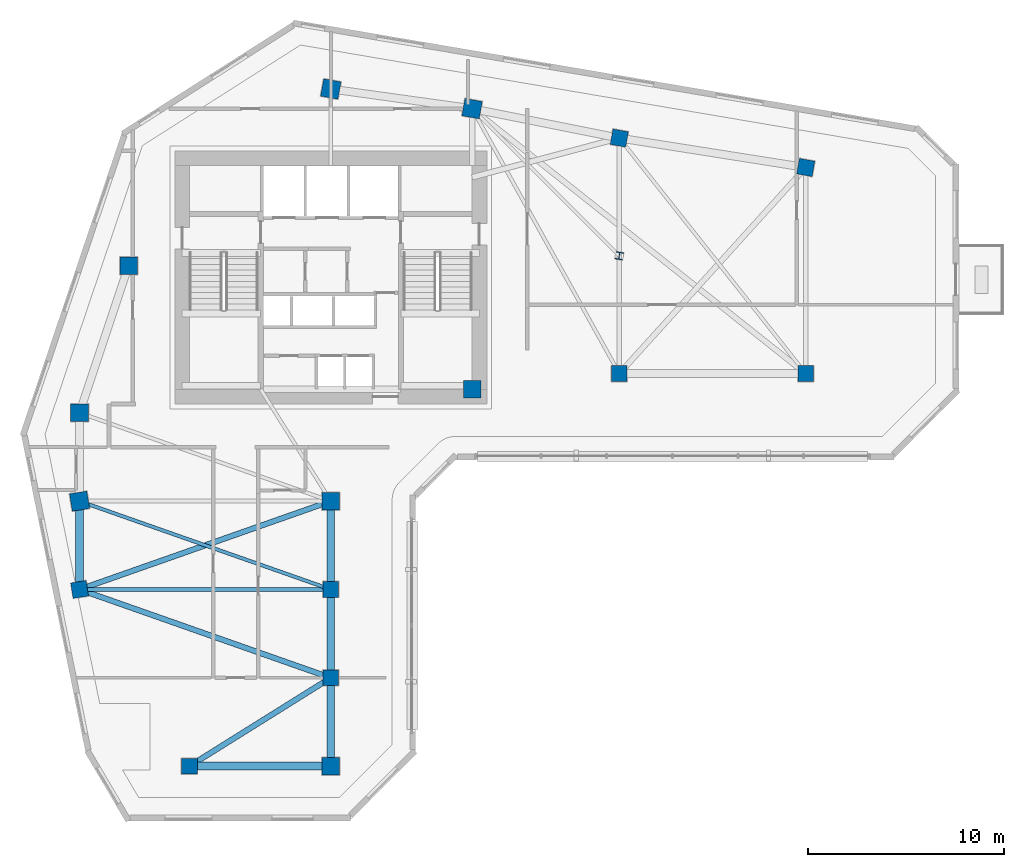
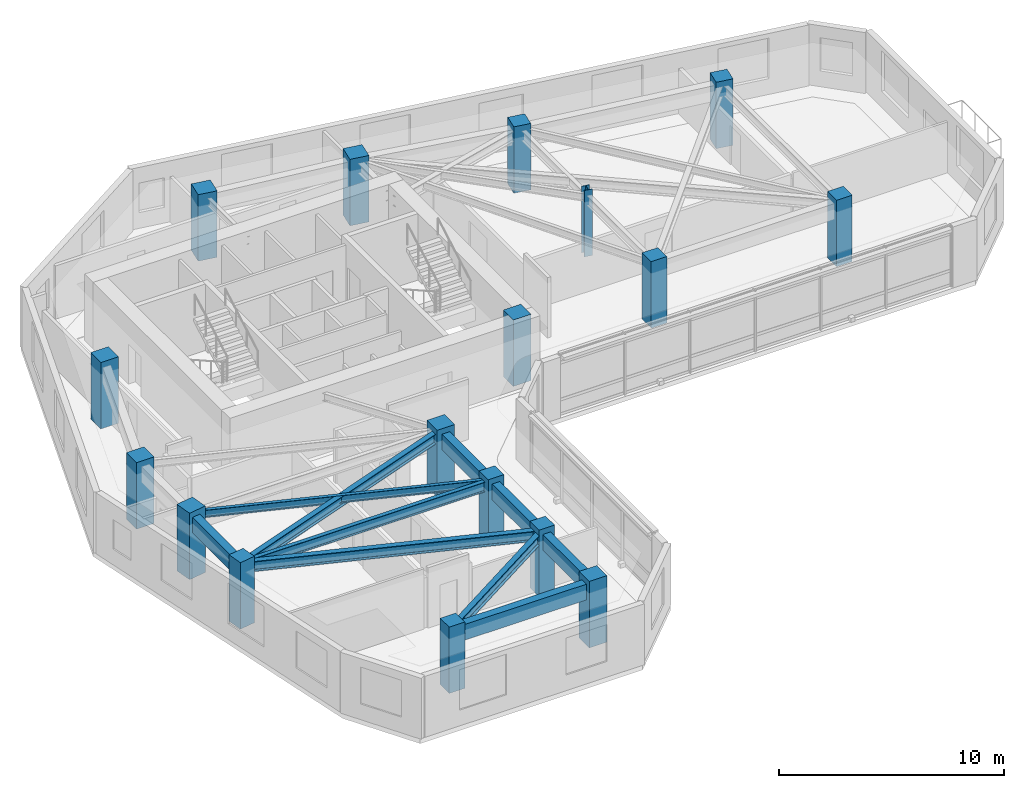
# One storey, part 1 of 10: 17 columns, 10 beams.
"""IFC4 building model written with IfcOpenShell, lengths in metres."""

from ifc_helpers import new_model, si_unit, direction, frame, origin, origin_2d, place, context, subcontext, project, spatial, rectangle, i_section, extrude, source, transform, mapped, material, material_profile, profile_set, type_object, element, save


model = new_model("IFC4")

# Units and contexts
model_context = context("Model", 3, precision=1e-05, world=origin(), true_north=direction((0.0, 1.0)))
body_context = subcontext(model_context, "Body", "Model", "MODEL_VIEW")
ifc_project = project(units=[si_unit("LENGTHUNIT", "METRE"), si_unit("AREAUNIT", "SQUARE_METRE"), si_unit("VOLUMEUNIT", "CUBIC_METRE"), si_unit("PLANEANGLEUNIT", "RADIAN"), si_unit("MASSUNIT", "GRAM", prefix="KILO")], contexts=[model_context])

# Site, building, storey
site_placement = place(None, origin())
site = spatial("IfcSite", under=ifc_project, at=site_placement, CompositionType="ELEMENT")
building_placement = place(site_placement, origin())
building = spatial("IfcBuilding", under=site, at=building_placement, Name="Calvemar Wedge Station Tower", CompositionType="ELEMENT")
storey_placement = place(building_placement, frame((0.0, 0.0, 168.199951171875)))
storey = spatial("IfcBuildingStorey", under=building, at=storey_placement, Name="L42", CompositionType="ELEMENT", Elevation=168.199951171875)

# Columns
ifc_material_1 = material(Name="Concrete C60", Category="concrete")
ifc_material_profile_1 = material_profile(ifc_material_1, rectangle(XDim=0.89990234375, YDim=0.89990234375, at=origin_2d()), Name="RC900x900")
ifc_profile_set_1 = profile_set([ifc_material_profile_1], Name="Concrete C60")
column_type_1 = type_object("IfcColumnType", Name="COL-C5-900", PredefinedType="COLUMN", material=ifc_profile_set_1)
shared_shape_1 = source(origin(), body_context, "Body", "SweptSolid", [
    extrude(rectangle(XDim=0.89990234375, YDim=0.89990234375, at=origin_2d()), origin(), (0.0, 0.0, 1.0), 3.60009765625),
])
for number, where, z_axis, x_axis, name in (
    (1, (11.0, 33.0, 0.0), (0.0, 0.0, 1.0), (1.0, 0.0, 0.0), "Storey L42 Column T-NW1"),
    (2, (13.5, 40.5, 0.0), (0.0, 0.0, 1.0), (1.0, 0.0, 0.0), "Storey L42 Column T-NW2"),
    (3, (23.800048828125, 49.5, 0.0), (0.0, 0.0, 1.0), (0.984195607969, -0.17708474032, 0.0), "Storey L42 Column T-N1"),
    (4, (31.0, 48.5, 0.0), (0.0, 0.0, 1.0), (0.984195607969, -0.17708474032, 0.0), "Storey L42 Column T-N2"),
    (5, (31.0, 34.199951171875, 0.0), (0.0, 0.0, 1.0), (1.0, 0.0, 0.0), "Storey L42 Column T-NL1"),
    (6, (11.0, 28.5, 0.0), (0.0, 0.0, 1.0), (0.158158067254, -0.987413806751, 0.0), "Storey L42 Column T-SW1"),
    (7, (23.800048828125, 28.5, 0.0), (0.0, 0.0, 1.0), (1.0, 0.0, 0.0), "Storey L42 Column T-SE1"),
    (8, (23.800048828125, 15.0, 0.0), (0.0, 0.0, 1.0), (1.0, 0.0, 0.0), "Storey L42 Column T-SE4"),
):
    element("IfcColumn", number, at=place(storey_placement, frame(where, z_axis=z_axis, x_axis=x_axis)), inside=storey, type_object=column_type_1, Name=name, PredefinedType="COLUMN", context=body_context, shape_type="MappedRepresentation", body=[
        mapped(shared_shape_1, transform((0.0, 0.0, 0.0), scale=1.0)),
    ])
ifc_material_2 = material(Name="Concrete C50", Category="concrete")
ifc_material_profile_2 = material_profile(ifc_material_2, rectangle(XDim=0.800048828125, YDim=0.800048828125, at=origin_2d()), Name="RC800x800")
ifc_profile_set_2 = profile_set([ifc_material_profile_2], Name="Concrete C50")
column_type_2 = type_object("IfcColumnType", Name="COL-C6-800", PredefinedType="COLUMN", material=ifc_profile_set_2)
shared_shape_2 = source(origin(), body_context, "Body", "SweptSolid", [
    extrude(rectangle(XDim=0.800048828125, YDim=0.800048828125, at=origin_2d()), origin(), (0.0, 0.0, 1.0), 3.60009765625),
])
for number, where, z_axis, x_axis, name in (
    (9, (38.5, 47.0, 0.0), (0.0, 0.0, 1.0), (0.984195607969, -0.17708474032, 0.0), "Storey L42 Column T-NU3"),
    (10, (48.0, 45.5, 0.0), (0.0, 0.0, 1.0), (0.984195607969, -0.17708474032, 0.0), "Storey L42 Column T-NU4"),
    (11, (38.5, 35.0, 0.0), (0.0, 0.0, 1.0), (1.0, 0.0, 0.0), "Storey L42 Column T-NL2"),
    (12, (48.0, 35.0, 0.0), (0.0, 0.0, 1.0), (1.0, 0.0, 0.0), "Storey L42 Column T-NL3"),
    (13, (11.0, 24.0, 0.0), (0.0, 0.0, 1.0), (0.158158067254, -0.987413806751, 0.0), "Storey L42 Column T-SW2"),
    (14, (23.800048828125, 24.0, 0.0), (0.0, 0.0, 1.0), (1.0, 0.0, 0.0), "Storey L42 Column T-SE2"),
    (15, (23.800048828125, 19.5, 0.0), (0.0, 0.0, 1.0), (1.0, 0.0, 0.0), "Storey L42 Column T-SE3"),
    (16, (16.60009765625, 15.0, 0.0), (0.0, 0.0, 1.0), (1.0, 0.0, 0.0), "Storey L42 Column T-SM1"),
):
    element("IfcColumn", number, at=place(storey_placement, frame(where, z_axis=z_axis, x_axis=x_axis)), inside=storey, type_object=column_type_2, Name=name, PredefinedType="COLUMN", context=body_context, shape_type="MappedRepresentation", body=[
        mapped(shared_shape_2, transform((0.0, 0.0, 0.0), scale=1.0)),
    ])
ifc_material_3 = material(Name="Structural steel ASTM A572 Grade 50", Category="steel")
ifc_material_profile_3 = material_profile(ifc_material_3, i_section(OverallWidth=0.3740234375, OverallDepth=0.3720703125, WebThickness=0.016357421875, FlangeThickness=0.026123046875, FilletRadius=0.014892578125, at=origin_2d()), Name="W360x196")
ifc_profile_set_3 = profile_set([ifc_material_profile_3], Name="Structural steel ASTM A572 Grade 50")
column_type_3 = type_object("IfcColumnType", Name="COL-STL-W360", PredefinedType="COLUMN", material=ifc_profile_set_3)
shared_shape_3 = source(origin(), body_context, "Body", "SweptSolid", [
    extrude(i_section(OverallWidth=0.3740234375, OverallDepth=0.3720703125, WebThickness=0.016357421875, FlangeThickness=0.026123046875, FilletRadius=0.014892578125, at=origin_2d()), origin(), (0.0, 0.0, 1.0), 3.60009765625),
])
column_placement = place(storey_placement, frame((38.5, 41.0, 0.0), z_axis=(0.0, 0.0, 1.0), x_axis=(0.984195607969, -0.17708474032, 0.0)))
element("IfcColumn", 17, at=column_placement, inside=storey, type_object=column_type_3, Name="Storey L42 Column T-NTIP-B", PredefinedType="COLUMN", context=body_context, shape_type="MappedRepresentation", body=[
    mapped(shared_shape_3, transform((0.0, 0.0, 0.0), scale=1.0)),
])

# Beams
ifc_material_profile_4 = material_profile(ifc_material_1, rectangle(XDim=0.39990234375, YDim=0.85009765625, at=origin_2d()), Name="RC400x850")
ifc_profile_set_4 = profile_set([ifc_material_profile_4], Name="Concrete C60")
beam_type_1 = type_object("IfcBeamType", Name="BM-SP1-850", PredefinedType="SPANDREL", material=ifc_profile_set_4)
shared_shape_4 = source(origin(), body_context, "Body", "SweptSolid", [
    extrude(rectangle(XDim=0.39990234375, YDim=0.85009765625, at=origin_2d()), origin(), (0.0, 0.0, 1.0), 4.5),
])
for number, where, z_axis, x_axis, name in (
    (18, (11.0, 28.5, 2.875), (0.0, -1.0, 0.0), (1.0, 0.0, 0.0), "Storey L42 Spandrel T-SW1-T-SW2"),
    (19, (23.800048828125, 28.5, 2.875), (0.0, -1.0, 0.0), (1.0, 0.0, 0.0), "Storey L42 Spandrel T-SE1-T-SE2"),
    (20, (23.800048828125, 24.0, 2.875), (0.0, -1.0, 0.0), (1.0, 0.0, 0.0), "Storey L42 Spandrel T-SE2-T-SE3"),
    (21, (23.800048828125, 19.5, 2.875), (0.0, -1.0, 0.0), (1.0, 0.0, 0.0), "Storey L42 Spandrel T-SE3-T-SE4"),
):
    element("IfcBeam", number, at=place(storey_placement, frame(where, z_axis=z_axis, x_axis=x_axis)), inside=storey, type_object=beam_type_1, Name=name, PredefinedType="SPANDREL", context=body_context, shape_type="MappedRepresentation", body=[
        mapped(shared_shape_4, transform((0.0, 0.0, 0.0), scale=1.0)),
    ])
shared_shape_5 = source(origin(), body_context, "Body", "SweptSolid", [
    extrude(rectangle(XDim=0.39990234375, YDim=0.85009765625, at=origin_2d()), origin(), (0.0, 0.0, 1.0), 7.199951171875),
])
beam_1_placement = place(storey_placement, frame((16.60009765625, 15.0, 2.875), z_axis=(1.0, 0.0, 0.0), x_axis=(0.0, 1.0, 0.0)))
element("IfcBeam", 22, at=beam_1_placement, inside=storey, type_object=beam_type_1, Name="Storey L42 Spandrel T-SM1-T-SE4", PredefinedType="SPANDREL", context=body_context, shape_type="MappedRepresentation", body=[
    mapped(shared_shape_5, transform((0.0, 0.0, 0.0), scale=1.0)),
])
ifc_material_profile_5 = material_profile(ifc_material_3, i_section(OverallWidth=0.177978515625, OverallDepth=0.406982421875, WebThickness=0.0078125, FlangeThickness=0.0126953125, FilletRadius=0.010009765625, at=origin_2d()), Name="W410x60")
ifc_profile_set_5 = profile_set([ifc_material_profile_5], Name="Structural steel ASTM A572 Grade 50")
beam_type_2 = type_object("IfcBeamType", Name="BM-J3-W410", PredefinedType="JOIST", material=ifc_profile_set_5)
shared_shape_6 = source(origin(), body_context, "Body", "SweptSolid", [
    extrude(i_section(OverallWidth=0.177978515625, OverallDepth=0.406982421875, WebThickness=0.0078125, FlangeThickness=0.0126953125, FilletRadius=0.010009765625, at=origin_2d()), origin(), (0.0, 0.0, 1.0), 13.568115234375),
])
beam_2_placement = place(storey_placement, frame((11.0, 28.5, 3.096435546875), z_axis=(0.943398221169, -0.331662171939, 0.0), x_axis=(0.331662171939, 0.943398221169, 0.0)))
element("IfcBeam", 23, at=beam_2_placement, inside=storey, type_object=beam_type_2, Name="Storey L42 Floor Beam T-SW1-T-SE2", PredefinedType="JOIST", context=body_context, shape_type="MappedRepresentation", body=[
    mapped(shared_shape_6, transform((0.0, 0.0, 0.0), scale=1.0)),
])
ifc_material_profile_6 = material_profile(ifc_material_3, i_section(OverallWidth=0.279052734375, OverallDepth=0.553955078125, WebThickness=0.017578125, FlangeThickness=0.029541015625, FilletRadius=0.014892578125, at=origin_2d()), Name="W530x196")
ifc_profile_set_6 = profile_set([ifc_material_profile_6], Name="Structural steel ASTM A572 Grade 50")
beam_type_3 = type_object("IfcBeamType", Name="BM-SB3-W530H", PredefinedType="BEAM", material=ifc_profile_set_6)
shared_shape_7 = source(origin(), body_context, "Body", "SweptSolid", [
    extrude(i_section(OverallWidth=0.279052734375, OverallDepth=0.553955078125, WebThickness=0.017578125, FlangeThickness=0.029541015625, FilletRadius=0.014892578125, at=origin_2d()), origin(), (0.0, 0.0, 1.0), 13.568115234375),
])
for number, where, z_axis, x_axis, name in (
    (24, (23.800048828125, 28.5, 3.02294921875), (-0.943398221169, -0.331662171939, 0.0), (0.331662171939, -0.943398221169, 0.0), "Storey L42 Floor Beam T-SE1-T-SW2"),
    (25, (11.0, 24.0, 3.02294921875), (0.943398221169, -0.331662171939, 0.0), (0.331662171939, 0.943398221169, 0.0), "Storey L42 Floor Beam T-SW2-T-SE3"),
):
    element("IfcBeam", number, at=place(storey_placement, frame(where, z_axis=z_axis, x_axis=x_axis)), inside=storey, type_object=beam_type_3, Name=name, PredefinedType="BEAM", context=body_context, shape_type="MappedRepresentation", body=[
        mapped(shared_shape_7, transform((0.0, 0.0, 0.0), scale=1.0)),
    ])
shared_shape_8 = source(origin(), body_context, "Body", "SweptSolid", [
    extrude(i_section(OverallWidth=0.279052734375, OverallDepth=0.553955078125, WebThickness=0.017578125, FlangeThickness=0.029541015625, FilletRadius=0.014892578125, at=origin_2d()), origin(), (0.0, 0.0, 1.0), 8.490478515625),
])
beam_3_placement = place(storey_placement, frame((23.800048828125, 19.5, 3.02294921875), z_axis=(-0.847996688584, -0.530001524668, 0.0), x_axis=(0.530001524668, -0.847996688584, 0.0)))
element("IfcBeam", 26, at=beam_3_placement, inside=storey, type_object=beam_type_3, Name="Storey L42 Floor Beam T-SE3-T-SM1", PredefinedType="BEAM", context=body_context, shape_type="MappedRepresentation", body=[
    mapped(shared_shape_8, transform((0.0, 0.0, 0.0), scale=1.0)),
])
ifc_material_profile_7 = material_profile(ifc_material_3, i_section(OverallWidth=0.2109375, OverallDepth=0.5390625, WebThickness=0.01171875, FlangeThickness=0.018798828125, FilletRadius=0.012939453125, at=origin_2d()), Name="W530x109")
ifc_profile_set_7 = profile_set([ifc_material_profile_7], Name="Structural steel ASTM A572 Grade 50")
beam_type_4 = type_object("IfcBeamType", Name="BM-SB4-W530", PredefinedType="BEAM", material=ifc_profile_set_7)
shared_shape_9 = source(origin(), body_context, "Body", "SweptSolid", [
    extrude(i_section(OverallWidth=0.2109375, OverallDepth=0.5390625, WebThickness=0.01171875, FlangeThickness=0.018798828125, FilletRadius=0.012939453125, at=origin_2d()), origin(), (0.0, 0.0, 1.0), 12.800048828125),
])
beam_4_placement = place(storey_placement, frame((11.0, 24.0, 3.030517578125), z_axis=(1.0, 0.0, 0.0), x_axis=(0.0, 1.0, 0.0)))
element("IfcBeam", 27, at=beam_4_placement, inside=storey, type_object=beam_type_4, Name="Storey L42 Floor Beam T-SW2-T-SE2", PredefinedType="BEAM", context=body_context, shape_type="MappedRepresentation", body=[
    mapped(shared_shape_9, transform((0.0, 0.0, 0.0), scale=1.0)),
])

save(model, "model.ifc")
